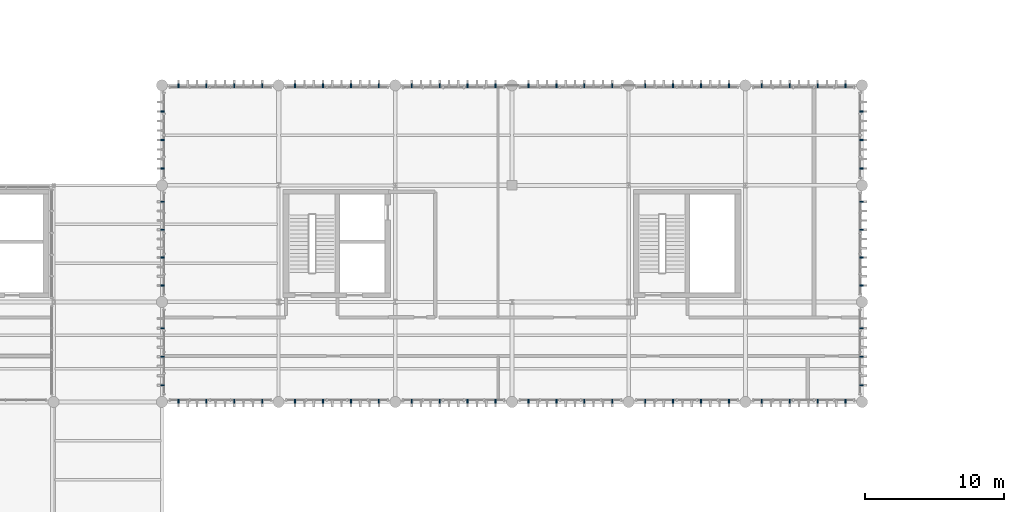
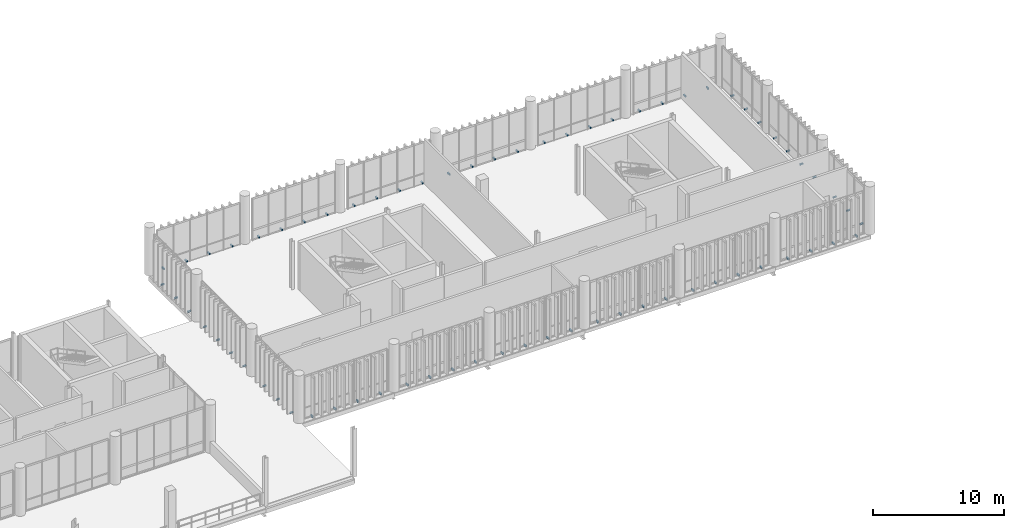
# One storey, part 62 of 68: 68 discrete accessories.
"""IFC4 building model written with IfcOpenShell, lengths in metres."""

import ifcopenshell
import ifcopenshell.guid

model = None  # the IFC model being written
_history = None  # IfcOwnerHistory: only IFC2X3 demands one
_inside = {}  # id of a spatial element -> (the spatial element, [elements in it])
_under = {}  # id of a project, library or spatial element -> (it, [spatial elements below it])
_declared = {}  # id of a project -> (the project, [libraries it declares])
_typed = {}  # id of a type object -> (the type object, [elements of that type])
_made_of = {}  # id of a material, layer set ... -> (it, [elements and type objects made of it])


def new_model(schema):
    """Start an empty IFC model of exactly this schema.

    Asked for "IFC4X3", IfcOpenShell would pick the latest addendum, in which some entities
    have other attributes; the version numbers below select the first issue.
    IFC2X3 requires an IfcOwnerHistory on every rooted entity: one is made here for all.
    """
    global model, _history
    if schema == "IFC4X3":
        model = ifcopenshell.file(schema_version=(4, 3, 0, 0))
    else:
        model = ifcopenshell.file(schema=schema)
    _inside.clear()
    _under.clear()
    _declared.clear()
    _typed.clear()
    _made_of.clear()
    _history = None
    if model.schema == "IFC2X3":
        org = make("IfcOrganization", Name="unknown")
        user = make(
            "IfcPersonAndOrganization",
            ThePerson=make("IfcPerson", FamilyName="unknown"),
            TheOrganization=org,
        )
        app = make(
            "IfcApplication",
            ApplicationDeveloper=org,
            Version="unknown",
            ApplicationFullName="unknown",
            ApplicationIdentifier="unknown",
        )
        _history = make(
            "IfcOwnerHistory",
            OwningUser=user,
            OwningApplication=app,
            ChangeAction="ADDED",
            CreationDate=0,
        )
    return model


def make(cls, **values):
    """One entity of the class cls with the attributes given. An attribute that is None is left unset."""
    return model.create_entity(
        cls, **{name: value for name, value in values.items() if value is not None}
    )


def rooted(cls, **values):
    """An entity with a GlobalId (a new one), such as an element, a storey or a relation."""
    return make(cls, GlobalId=ifcopenshell.guid.new(), OwnerHistory=_history, **values)


def si_unit(unit_type, name, prefix=None):
    """IfcSIUnit, for example si_unit("LENGTHUNIT", "METRE", prefix="MILLI")."""
    return make("IfcSIUnit", UnitType=unit_type, Prefix=prefix, Name=name)


def assignment(units):
    """IfcUnitAssignment: the units of a project."""
    return None if units is None else make("IfcUnitAssignment", Units=units)


def point(xyz):
    """IfcCartesianPoint."""
    return None if xyz is None else make("IfcCartesianPoint", Coordinates=xyz)


def direction(xyz):
    """IfcDirection."""
    return None if xyz is None else make("IfcDirection", DirectionRatios=xyz)


def frame(location, z_axis=None, x_axis=None):
    """IfcAxis2Placement3D, a coordinate frame: its origin and axes. An axis left out is left unset."""
    return make(
        "IfcAxis2Placement3D",
        Location=point(location),
        Axis=direction(z_axis),
        RefDirection=direction(x_axis),
    )


def frame_2d(location, x_axis=None):
    """IfcAxis2Placement2D, a coordinate frame in the plane: its origin and x axis."""
    return make(
        "IfcAxis2Placement2D", Location=point(location), RefDirection=direction(x_axis)
    )


def origin_with_axes():
    """The frame at (0, 0, 0) with the z axis (0, 0, 1) and the x axis (1, 0, 0) written out."""
    return frame((0.0, 0.0, 0.0), z_axis=(0.0, 0.0, 1.0), x_axis=(1.0, 0.0, 0.0))


def origin_2d_with_axis():
    """The frame at (0, 0) in the plane with the x axis (1, 0) written out."""
    return frame_2d((0.0, 0.0), x_axis=(1.0, 0.0))


def place(relative_to, where):
    """IfcLocalPlacement: puts the frame where relative to a parent placement (None: the world)."""
    return make(
        "IfcLocalPlacement", PlacementRelTo=relative_to, RelativePlacement=where
    )


def context(
    kind, dimensions, precision=None, world=None, true_north=None, identifier=None
):
    """IfcGeometricRepresentationContext, for example the 3D "Model" context."""
    return make(
        "IfcGeometricRepresentationContext",
        ContextIdentifier=identifier,
        ContextType=kind,
        CoordinateSpaceDimension=dimensions,
        Precision=precision,
        WorldCoordinateSystem=world,
        TrueNorth=true_north,
    )


def subcontext(parent, identifier, kind, view, scale=None):
    """IfcGeometricRepresentationSubContext, for example "Body" below "Model"."""
    return make(
        "IfcGeometricRepresentationSubContext",
        ContextIdentifier=identifier,
        ContextType=kind,
        ParentContext=parent,
        TargetScale=scale,
        TargetView=view,
    )


def project(units=None, contexts=None):
    """IfcProject with its units and contexts."""
    return rooted(
        "IfcProject",
        Name="project",
        RepresentationContexts=contexts,
        UnitsInContext=assignment(units),
    )


def spatial(cls, under=None, at=None, **own):
    """A site, building, storey or space (cls), placed at a placement, below another one or the project."""
    s = rooted(cls, ObjectPlacement=at, **own)
    if under is not None:
        _under.setdefault(under.id(), (under, []))[1].append(s)
    return s


def profile(cls, at=None, kind="AREA", **sizes):
    """A parametric profile (cls). Its sizes go by their IFC names, for example OverallWidth=200.0."""
    return make(cls, ProfileType=kind, Position=at, **sizes)


def rectangle(**sizes):
    """IfcRectangleProfileDef."""
    return profile("IfcRectangleProfileDef", **sizes)


def extrude(swept, where, along, depth):
    """IfcExtrudedAreaSolid: the profile swept, set in the frame where, extruded along a direction by depth."""
    return make(
        "IfcExtrudedAreaSolid",
        SweptArea=swept,
        Position=where,
        ExtrudedDirection=direction(along),
        Depth=depth,
    )


def shape(context_of_items, identifier, shape_type, items):
    """IfcShapeRepresentation: the items that make up one representation, for example the "Body"."""
    return make(
        "IfcShapeRepresentation",
        ContextOfItems=context_of_items,
        RepresentationIdentifier=identifier,
        RepresentationType=shape_type,
        Items=items,
    )


def material(Name=None, Category=None):
    """IfcMaterial."""
    return make("IfcMaterial", Name=Name, Category=Category)


def made_of(thing, what):
    """Note that an element or type object is made of a material, layer set ...; save() writes the relation."""
    if what is not None:
        _made_of.setdefault(what.id(), (what, []))[1].append(thing)
    return thing


def type_object(cls, material=None, **own):
    """A type object (cls), such as IfcWallType, which elements share."""
    return made_of(rooted(cls, **own), material)


def element(
    cls,
    number,
    at=None,
    inside=None,
    cuts=None,
    type_object=None,
    material=None,
    context=None,
    identifier="Body",
    shape_type=None,
    held_by="IfcProductDefinitionShape",
    body=None,
    shapes=None,
    **own,
):
    """One element of the class cls, such as IfcWall. Its Tag is "e" and its number.

    at: its placement. inside: the storey or other place that contains it. cuts: it is an
    opening in that element (IfcRelVoidsElement). A single representation is given by context,
    identifier, shape_type and body (its items); several are given by shapes. held_by: the class
    of the entity that holds the representations. save() writes the other relations.
    """
    e = rooted(cls, Tag="e%d" % number, ObjectPlacement=at, **own)
    if body is not None:
        shapes = [shape(context, identifier, shape_type, body)]
    if shapes is not None:
        e.Representation = make(held_by, Representations=shapes)
    if inside is not None:
        _inside.setdefault(inside.id(), (inside, []))[1].append(e)
    if cuts is not None:
        rooted(
            "IfcRelVoidsElement", RelatingBuildingElement=cuts, RelatedOpeningElement=e
        )
    if type_object is not None:
        _typed.setdefault(type_object.id(), (type_object, []))[1].append(e)
    return made_of(e, material)


def aggregate(whole, parts):
    """IfcRelAggregates: a whole, such as a stair, and the parts it consists of."""
    return rooted("IfcRelAggregates", RelatingObject=whole, RelatedObjects=parts)


def save(model, path):
    """Write the relations noted so far, then the file.

    IfcRelAggregates (storeys below a building ...), IfcRelContainedInSpatialStructure (elements
    in a storey), IfcRelDefinesByType, IfcRelAssociatesMaterial and IfcRelDeclares: one each for
    every whole, place, type object, material and project.
    """
    for whole, parts in _under.values():
        aggregate(whole, parts)
    for where, things in _inside.values():
        rooted(
            "IfcRelContainedInSpatialStructure",
            RelatedElements=things,
            RelatingStructure=where,
        )
    for kind, things in _typed.values():
        rooted("IfcRelDefinesByType", RelatedObjects=things, RelatingType=kind)
    for what, things in _made_of.values():
        rooted("IfcRelAssociatesMaterial", RelatedObjects=things, RelatingMaterial=what)
    for by, libraries in _declared.values():
        rooted("IfcRelDeclares", RelatingContext=by, RelatedDefinitions=libraries)
    model.write(path)


model = new_model("IFC4")

# Units and contexts
model_context = context("Model", 3, precision=1e-05, world=origin_with_axes(), true_north=direction((0.0, 1.0)))
body_context = subcontext(model_context, "Body", "Model", "MODEL_VIEW")
ifc_project = project(units=[si_unit("LENGTHUNIT", "METRE"), si_unit("AREAUNIT", "SQUARE_METRE"), si_unit("VOLUMEUNIT", "CUBIC_METRE"), si_unit("PLANEANGLEUNIT", "RADIAN"), si_unit("MASSUNIT", "GRAM", prefix="KILO"), si_unit("THERMODYNAMICTEMPERATUREUNIT", "KELVIN")], contexts=[model_context])

# Site, building, storey
site_placement = place(None, origin_with_axes())
site = spatial("IfcSite", under=ifc_project, at=site_placement, CompositionType="ELEMENT")
building_placement = place(site_placement, origin_with_axes())
building = spatial("IfcBuilding", under=site, at=building_placement, Name="Montbau Bow Law Courts", CompositionType="ELEMENT")
storey_placement = place(building_placement, frame((0.0, 0.0, 20.4), z_axis=(0.0, 0.0, 1.0), x_axis=(1.0, 0.0, 0.0)))
storey = spatial("IfcBuildingStorey", under=building, at=storey_placement, Name="L04", CompositionType="ELEMENT", Elevation=20.4)

# Discrete accessories
ifc_material = material(Name="Stainless Steel AISI 316L Outrigger Louvre Bracket", Category="steel")
discrete_accessory_type = type_object("IfcDiscreteAccessoryType", Name="DA-BRK-01", PredefinedType="BRACKET", material=ifc_material)
for number, where, z_axis, x_axis, name in (
    (1, (47.985, 39.04, 20.4), (0.0, 0.0, 1.0), (0.0, -1.0, 0.0), "BRK-L04-0659:brk_0659"),
    (2, (49.995, 39.04, 20.4), (0.0, 0.0, 1.0), (0.0, -1.0, 0.0), "BRK-L04-0660:brk_0660"),
    (3, (52.005, 39.04, 20.4), (0.0, 0.0, 1.0), (0.0, -1.0, 0.0), "BRK-L04-0661:brk_0661"),
    (4, (54.015, 39.04, 20.4), (0.0, 0.0, 1.0), (0.0, -1.0, 0.0), "BRK-L04-0662:brk_0662"),
    (5, (56.385, 39.04, 20.4), (0.0, 0.0, 1.0), (0.0, -1.0, 0.0), "BRK-L04-0663:brk_0663"),
    (6, (58.395, 39.04, 20.4), (0.0, 0.0, 1.0), (0.0, -1.0, 0.0), "BRK-L04-0664:brk_0664"),
    (7, (60.405, 39.04, 20.4), (0.0, 0.0, 1.0), (0.0, -1.0, 0.0), "BRK-L04-0665:brk_0665"),
    (8, (62.415, 39.04, 20.4), (0.0, 0.0, 1.0), (0.0, -1.0, 0.0), "BRK-L04-0666:brk_0666"),
    (9, (64.785, 39.04, 20.4), (0.0, 0.0, 1.0), (0.0, -1.0, 0.0), "BRK-L04-0667:brk_0667"),
    (10, (66.795, 39.04, 20.4), (0.0, 0.0, 1.0), (0.0, -1.0, 0.0), "BRK-L04-0668:brk_0668"),
    (11, (68.805, 39.04, 20.4), (0.0, 0.0, 1.0), (0.0, -1.0, 0.0), "BRK-L04-0669:brk_0669"),
    (12, (70.815, 39.04, 20.4), (0.0, 0.0, 1.0), (0.0, -1.0, 0.0), "BRK-L04-0670:brk_0670"),
    (13, (73.185, 39.04, 20.4), (0.0, 0.0, 1.0), (0.0, -1.0, 0.0), "BRK-L04-0671:brk_0671"),
    (14, (75.195, 39.04, 20.4), (0.0, 0.0, 1.0), (0.0, -1.0, 0.0), "BRK-L04-0672:brk_0672"),
    (15, (77.205, 39.04, 20.4), (0.0, 0.0, 1.0), (0.0, -1.0, 0.0), "BRK-L04-0673:brk_0673"),
    (16, (79.215, 39.04, 20.4), (0.0, 0.0, 1.0), (0.0, -1.0, 0.0), "BRK-L04-0674:brk_0674"),
    (17, (81.585, 39.04, 20.4), (0.0, 0.0, 1.0), (0.0, -1.0, 0.0), "BRK-L04-0675:brk_0675"),
    (18, (83.595, 39.04, 20.4), (0.0, 0.0, 1.0), (0.0, -1.0, 0.0), "BRK-L04-0676:brk_0676"),
    (19, (85.605, 39.04, 20.4), (0.0, 0.0, 1.0), (0.0, -1.0, 0.0), "BRK-L04-0677:brk_0677"),
    (20, (87.615, 39.04, 20.4), (0.0, 0.0, 1.0), (0.0, -1.0, 0.0), "BRK-L04-0678:brk_0678"),
    (21, (89.985, 39.04, 20.4), (0.0, 0.0, 1.0), (0.0, -1.0, 0.0), "BRK-L04-0679:brk_0679"),
    (22, (91.995, 39.04, 20.4), (0.0, 0.0, 1.0), (0.0, -1.0, 0.0), "BRK-L04-0680:brk_0680"),
    (23, (94.005, 39.04, 20.4), (0.0, 0.0, 1.0), (0.0, -1.0, 0.0), "BRK-L04-0681:brk_0681"),
    (24, (96.015, 39.04, 20.4), (0.0, 0.0, 1.0), (0.0, -1.0, 0.0), "BRK-L04-0682:brk_0682"),
    (25, (47.985, 61.76, 20.4), (0.0, 0.0, 1.0), (0.0, 1.0, 0.0), "BRK-L04-0683:brk_0683"),
    (26, (49.995, 61.76, 20.4), (0.0, 0.0, 1.0), (0.0, 1.0, 0.0), "BRK-L04-0684:brk_0684"),
    (27, (52.005, 61.76, 20.4), (0.0, 0.0, 1.0), (0.0, 1.0, 0.0), "BRK-L04-0685:brk_0685"),
    (28, (54.015, 61.76, 20.4), (0.0, 0.0, 1.0), (0.0, 1.0, 0.0), "BRK-L04-0686:brk_0686"),
    (29, (56.385, 61.76, 20.4), (0.0, 0.0, 1.0), (0.0, 1.0, 0.0), "BRK-L04-0687:brk_0687"),
    (30, (58.395, 61.76, 20.4), (0.0, 0.0, 1.0), (0.0, 1.0, 0.0), "BRK-L04-0688:brk_0688"),
    (31, (60.405, 61.76, 20.4), (0.0, 0.0, 1.0), (0.0, 1.0, 0.0), "BRK-L04-0689:brk_0689"),
    (32, (62.415, 61.76, 20.4), (0.0, 0.0, 1.0), (0.0, 1.0, 0.0), "BRK-L04-0690:brk_0690"),
    (33, (64.785, 61.76, 20.4), (0.0, 0.0, 1.0), (0.0, 1.0, 0.0), "BRK-L04-0691:brk_0691"),
    (34, (66.795, 61.76, 20.4), (0.0, 0.0, 1.0), (0.0, 1.0, 0.0), "BRK-L04-0692:brk_0692"),
    (35, (68.805, 61.76, 20.4), (0.0, 0.0, 1.0), (0.0, 1.0, 0.0), "BRK-L04-0693:brk_0693"),
    (36, (70.815, 61.76, 20.4), (0.0, 0.0, 1.0), (0.0, 1.0, 0.0), "BRK-L04-0694:brk_0694"),
    (37, (73.185, 61.76, 20.4), (0.0, 0.0, 1.0), (0.0, 1.0, 0.0), "BRK-L04-0695:brk_0695"),
    (38, (75.195, 61.76, 20.4), (0.0, 0.0, 1.0), (0.0, 1.0, 0.0), "BRK-L04-0696:brk_0696"),
    (39, (77.205, 61.76, 20.4), (0.0, 0.0, 1.0), (0.0, 1.0, 0.0), "BRK-L04-0697:brk_0697"),
    (40, (79.215, 61.76, 20.4), (0.0, 0.0, 1.0), (0.0, 1.0, 0.0), "BRK-L04-0698:brk_0698"),
    (41, (81.585, 61.76, 20.4), (0.0, 0.0, 1.0), (0.0, 1.0, 0.0), "BRK-L04-0699:brk_0699"),
    (42, (83.595, 61.76, 20.4), (0.0, 0.0, 1.0), (0.0, 1.0, 0.0), "BRK-L04-0700:brk_0700"),
    (43, (85.605, 61.76, 20.4), (0.0, 0.0, 1.0), (0.0, 1.0, 0.0), "BRK-L04-0701:brk_0701"),
    (44, (87.615, 61.76, 20.4), (0.0, 0.0, 1.0), (0.0, 1.0, 0.0), "BRK-L04-0702:brk_0702"),
    (45, (89.985, 61.76, 20.4), (0.0, 0.0, 1.0), (0.0, 1.0, 0.0), "BRK-L04-0703:brk_0703"),
    (46, (91.995, 61.76, 20.4), (0.0, 0.0, 1.0), (0.0, 1.0, 0.0), "BRK-L04-0704:brk_0704"),
    (47, (94.005, 61.76, 20.4), (0.0, 0.0, 1.0), (0.0, 1.0, 0.0), "BRK-L04-0705:brk_0705"),
    (48, (96.015, 61.76, 20.4), (0.0, 0.0, 1.0), (0.0, 1.0, 0.0), "BRK-L04-0706:brk_0706"),
    (49, (46.84, 40.201, 20.4), (0.0, 0.0, 1.0), (-1.0, 0.0, 0.0), "BRK-L04-0707:brk_0707"),
    (50, (46.84, 42.257, 20.4), (0.0, 0.0, 1.0), (-1.0, 0.0, 0.0), "BRK-L04-0708:brk_0708"),
    (51, (46.84, 44.314, 20.4), (0.0, 0.0, 1.0), (-1.0, 0.0, 0.0), "BRK-L04-0709:brk_0709"),
    (52, (46.84, 47.385, 20.4), (0.0, 0.0, 1.0), (-1.0, 0.0, 0.0), "BRK-L04-0710:brk_0710"),
    (53, (46.84, 49.395, 20.4), (0.0, 0.0, 1.0), (-1.0, 0.0, 0.0), "BRK-L04-0711:brk_0711"),
    (54, (46.84, 51.405, 20.4), (0.0, 0.0, 1.0), (-1.0, 0.0, 0.0), "BRK-L04-0712:brk_0712"),
    (55, (46.84, 53.415, 20.4), (0.0, 0.0, 1.0), (-1.0, 0.0, 0.0), "BRK-L04-0713:brk_0713"),
    (56, (46.84, 55.801, 20.4), (0.0, 0.0, 1.0), (-1.0, 0.0, 0.0), "BRK-L04-0714:brk_0714"),
    (57, (46.84, 57.857, 20.4), (0.0, 0.0, 1.0), (-1.0, 0.0, 0.0), "BRK-L04-0715:brk_0715"),
    (58, (46.84, 59.914, 20.4), (0.0, 0.0, 1.0), (-1.0, 0.0, 0.0), "BRK-L04-0716:brk_0716"),
    (59, (97.16, 40.201, 20.4), (0.0, 0.0, 1.0), (1.0, 0.0, 0.0), "BRK-L04-0717:brk_0717"),
    (60, (97.16, 42.257, 20.4), (0.0, 0.0, 1.0), (1.0, 0.0, 0.0), "BRK-L04-0718:brk_0718"),
    (61, (97.16, 44.314, 20.4), (0.0, 0.0, 1.0), (1.0, 0.0, 0.0), "BRK-L04-0719:brk_0719"),
    (62, (97.16, 47.385, 20.4), (0.0, 0.0, 1.0), (1.0, 0.0, 0.0), "BRK-L04-0720:brk_0720"),
    (63, (97.16, 49.395, 20.4), (0.0, 0.0, 1.0), (1.0, 0.0, 0.0), "BRK-L04-0721:brk_0721"),
    (64, (97.16, 51.405, 20.4), (0.0, 0.0, 1.0), (1.0, 0.0, 0.0), "BRK-L04-0722:brk_0722"),
    (65, (97.16, 53.415, 20.4), (0.0, 0.0, 1.0), (1.0, 0.0, 0.0), "BRK-L04-0723:brk_0723"),
    (66, (97.16, 55.801, 20.4), (0.0, 0.0, 1.0), (1.0, 0.0, 0.0), "BRK-L04-0724:brk_0724"),
    (67, (97.16, 57.857, 20.4), (0.0, 0.0, 1.0), (1.0, 0.0, 0.0), "BRK-L04-0725:brk_0725"),
    (68, (97.16, 59.914, 20.4), (0.0, 0.0, 1.0), (1.0, 0.0, 0.0), "BRK-L04-0726:brk_0726"),
):
    element("IfcDiscreteAccessory", number, at=place(None, frame(where, z_axis=z_axis, x_axis=x_axis)), inside=storey, type_object=discrete_accessory_type, Name=name, PredefinedType="BRACKET", context=body_context, shape_type="SweptSolid", body=[
        extrude(rectangle(XDim=0.28, YDim=0.09, at=origin_2d_with_axis()), origin_with_axes(), (0.0, 0.0, 1.0), 0.12),
    ])

save(model, "model.ifc")
